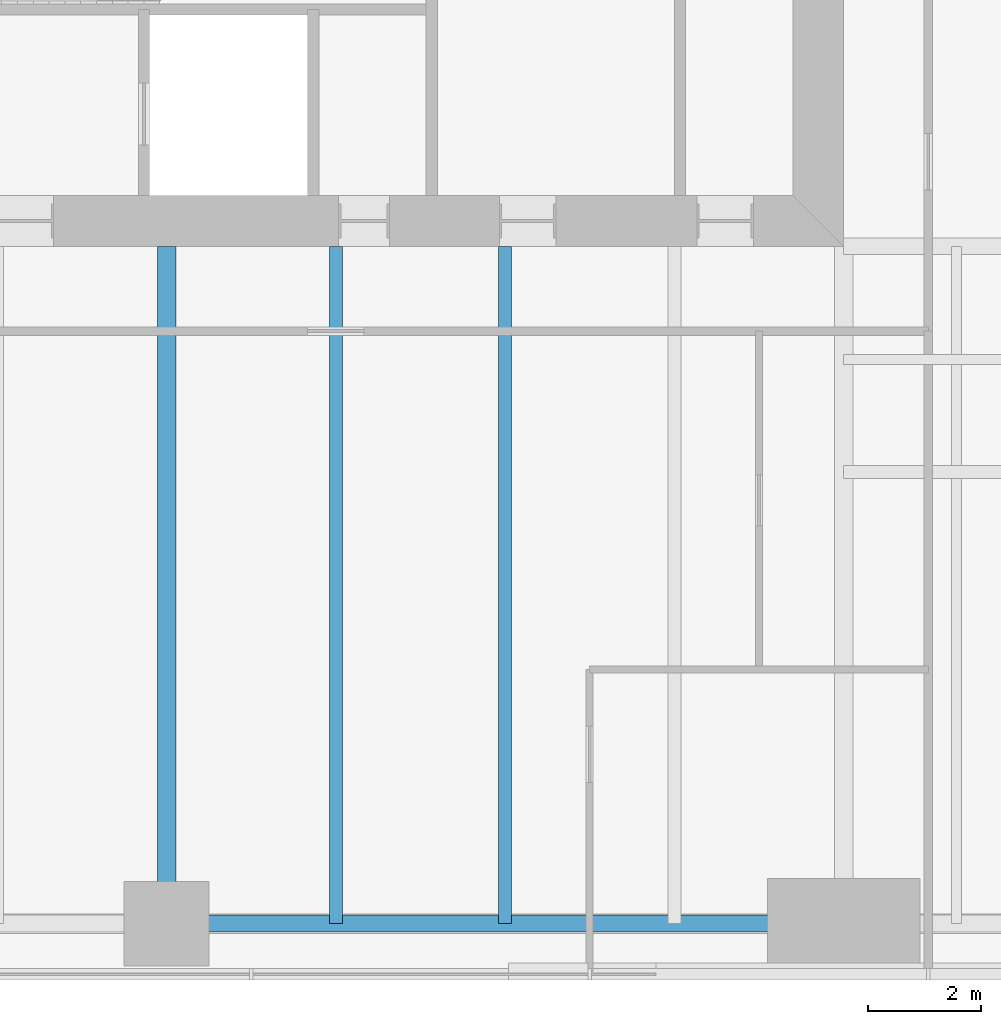
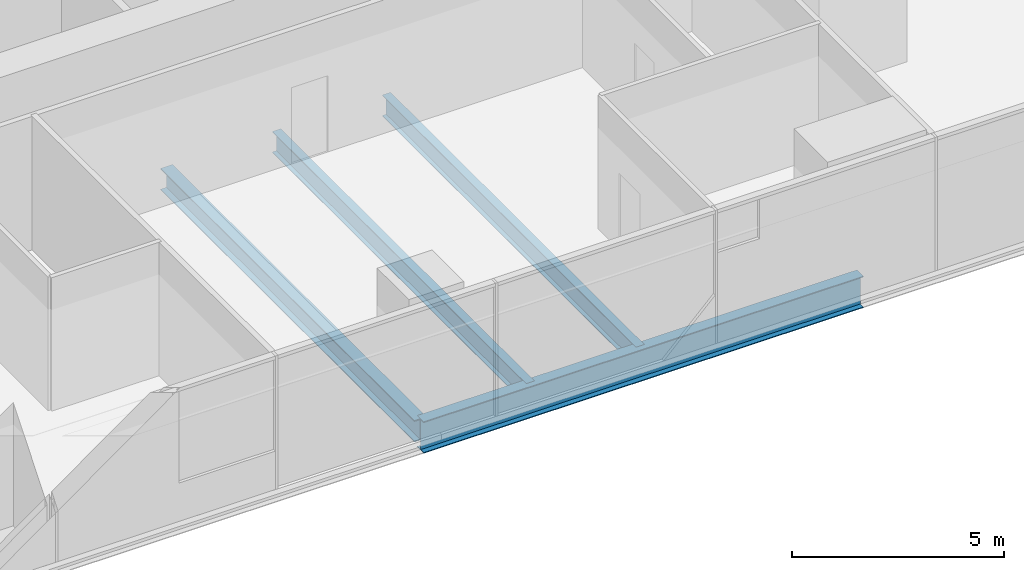
# One storey, part 3 of 15: 4 beams.
"""IFC4 building model written with IfcOpenShell, lengths in metres."""

from ifc_helpers import new_model, si_unit, direction, frame, origin, origin_2d, place, context, subcontext, project, spatial, i_section, extrude, material, material_profile, profile_set, type_object, element, save


model = new_model("IFC4")

# Units and contexts
model_context = context("Model", 3, precision=1e-05, world=origin(), true_north=direction((0.0, 1.0)))
body_context = subcontext(model_context, "Body", "Model", "MODEL_VIEW")
ifc_project = project(units=[si_unit("LENGTHUNIT", "METRE"), si_unit("AREAUNIT", "SQUARE_METRE"), si_unit("VOLUMEUNIT", "CUBIC_METRE"), si_unit("PLANEANGLEUNIT", "RADIAN"), si_unit("MASSUNIT", "GRAM", prefix="KILO")], contexts=[model_context])

# Site, building, storey
site_placement = place(None, origin())
site = spatial("IfcSite", under=ifc_project, at=site_placement, CompositionType="ELEMENT")
building_placement = place(site_placement, origin())
building = spatial("IfcBuilding", under=site, at=building_placement, Name="Fenwick Lantern Interchange", CompositionType="ELEMENT")
storey_placement = place(building_placement, frame((0.0, 0.0, 51.0)))
storey = spatial("IfcBuildingStorey", under=building, at=storey_placement, Name="L11", CompositionType="ELEMENT", Elevation=51.0)

# Beams
ifc_material = material(Name="Steel ASTM A992 Grade 50", Category="steel")
ifc_material_profile_1 = material_profile(ifc_material, i_section(OverallWidth=0.3046875, OverallDepth=0.911865234375, WebThickness=0.015869140625, FlangeThickness=0.02392578125, at=origin_2d()), Name="W36X150")
ifc_profile_set_1 = profile_set([ifc_material_profile_1], Name="Steel ASTM A992 Grade 50")
beam_type_1 = type_object("IfcBeamType", Name="EDGE BEAM W36X150", PredefinedType="SPANDREL", material=ifc_profile_set_1)
beam_1_placement = place(storey_placement, frame((25.0, 1.0, -0.60595703125), z_axis=(1.0, 0.0, 0.0), x_axis=(0.0, 1.0, 0.0)))
element("IfcBeam", 1, at=beam_1_placement, inside=storey, type_object=beam_type_1, Name="L11/FR/S/EB3", PredefinedType="SPANDREL", context=body_context, shape_type="SweptSolid", body=[
    extrude(i_section(OverallWidth=0.3046875, OverallDepth=0.911865234375, WebThickness=0.015869140625, FlangeThickness=0.02392578125, at=origin_2d()), origin(), (0.0, 0.0, 1.0), 12.0),
])
ifc_material_profile_2 = material_profile(ifc_material, i_section(OverallWidth=0.22900390625, OverallDepth=0.612060546875, WebThickness=0.011962890625, FlangeThickness=0.01953125, at=origin_2d()), Name="W24X84")
ifc_profile_set_2 = profile_set([ifc_material_profile_2], Name="Steel ASTM A992 Grade 50")
beam_type_2 = type_object("IfcBeamType", Name="FLOOR BEAM W24X84", PredefinedType="BEAM", material=ifc_profile_set_2)
for number, where, z_axis, x_axis, name in (
    (2, (28.0, 1.0, -0.4560546875), (0.0, 1.0, 0.0), (-1.0, 0.0, 0.0), "L11/FR/S/R06"),
    (3, (31.0, 1.0, -0.4560546875), (0.0, 1.0, 0.0), (-1.0, 0.0, 0.0), "L11/FR/S/R07"),
):
    element("IfcBeam", number, at=place(storey_placement, frame(where, z_axis=z_axis, x_axis=x_axis)), inside=storey, type_object=beam_type_2, Name=name, PredefinedType="BEAM", context=body_context, shape_type="SweptSolid", body=[
        extrude(i_section(OverallWidth=0.22900390625, OverallDepth=0.612060546875, WebThickness=0.011962890625, FlangeThickness=0.01953125, at=origin_2d()), origin(), (0.0, 0.0, 1.0), 12.0),
    ])
ifc_material_profile_3 = material_profile(ifc_material, i_section(OverallWidth=0.32763671875, OverallDepth=0.622314453125, WebThickness=0.015380859375, FlangeThickness=0.0244140625, at=origin_2d()), Name="W24X131")
ifc_profile_set_3 = profile_set([ifc_material_profile_3], Name="Steel ASTM A992 Grade 50")
beam_type_3 = type_object("IfcBeamType", Name="MOMENT-CONNECTED GIRDER W24X131", PredefinedType="BEAM", material=ifc_profile_set_3)
beam_2_placement = place(storey_placement, frame((25.0, 1.0, -0.461181640625), z_axis=(0.0, 1.0, 0.0), x_axis=(-1.0, 0.0, 0.0)))
element("IfcBeam", 4, at=beam_2_placement, inside=storey, type_object=beam_type_3, Name="L11/FR/S/R05", PredefinedType="BEAM", context=body_context, shape_type="SweptSolid", body=[
    extrude(i_section(OverallWidth=0.32763671875, OverallDepth=0.622314453125, WebThickness=0.015380859375, FlangeThickness=0.0244140625, at=origin_2d()), origin(), (0.0, 0.0, 1.0), 12.0),
])

save(model, "model.ifc")
